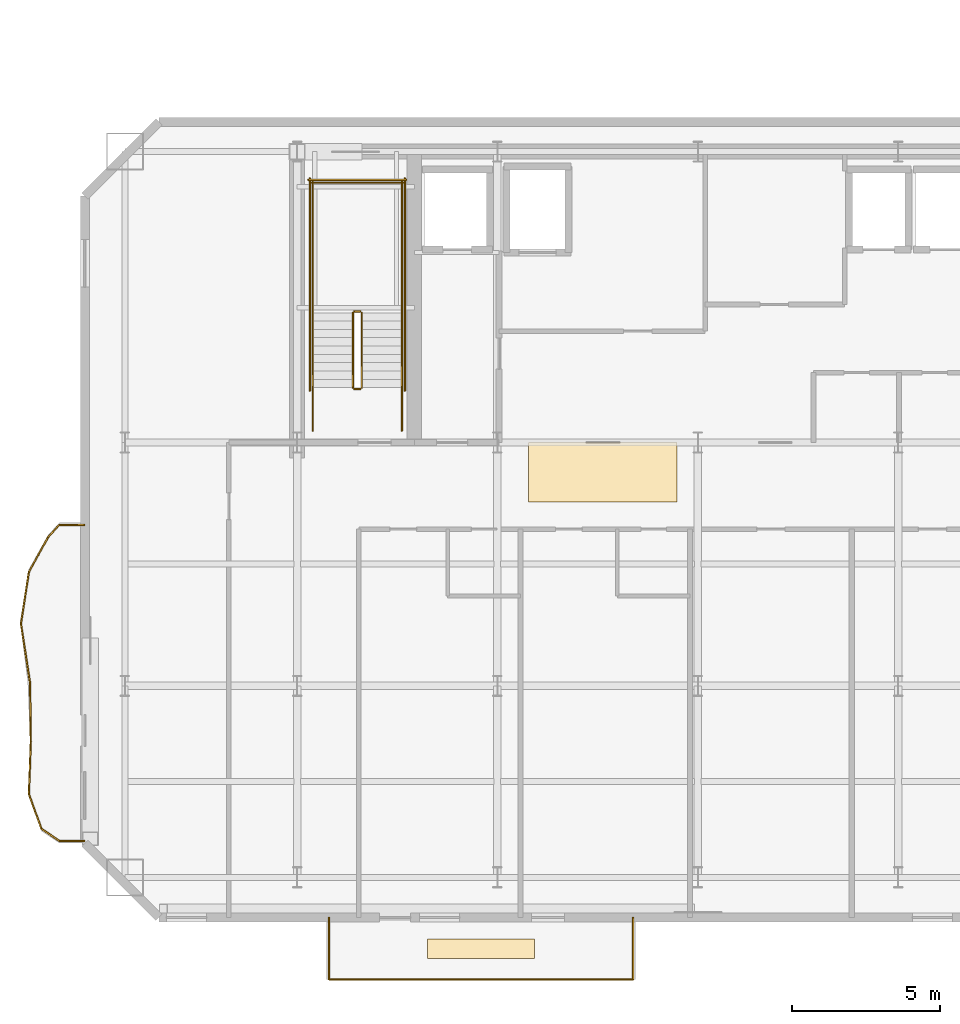
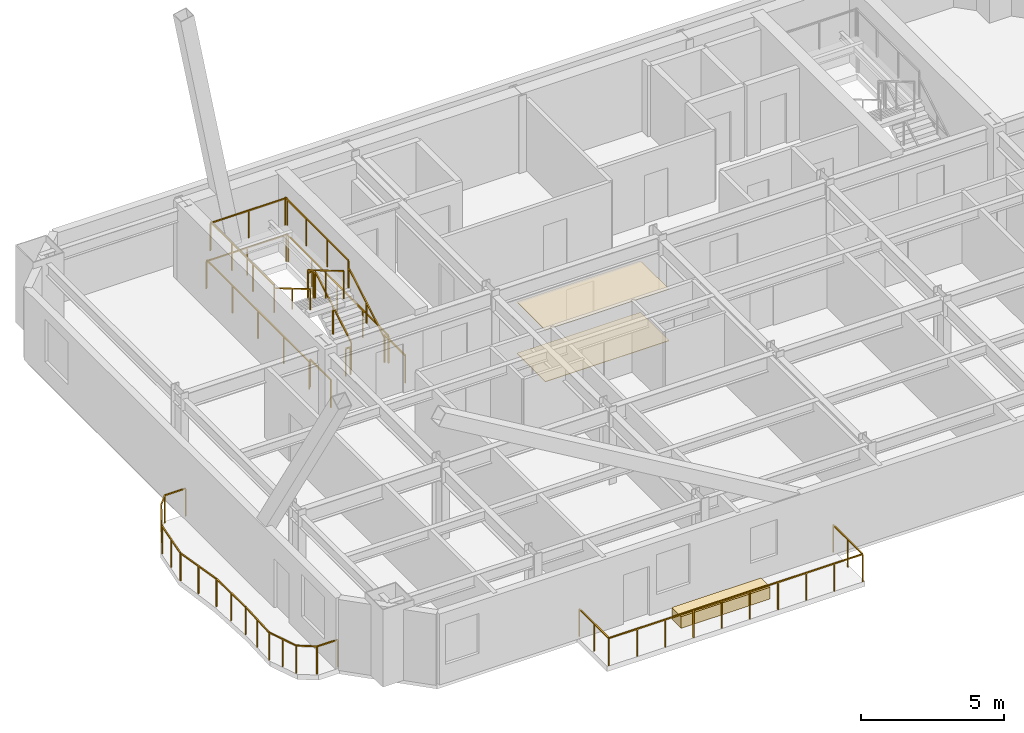
# One storey, part 10 of 13: 27 railings, 3 coverings.
"""IFC4 building model written with IfcOpenShell, lengths in metres."""

from ifc_helpers import new_model, si_unit, direction, frame, origin, origin_2d, place, context, subcontext, project, spatial, polyline, rectangle, outline, extrude, material, layer, layer_set, type_object, element, save


model = new_model("IFC4")

# Units and contexts
model_context = context("Model", 3, precision=1e-05, world=origin(), true_north=direction((0.0, 1.0)))
body_context = subcontext(model_context, "Body", "Model", "MODEL_VIEW")
ifc_project = project(units=[si_unit("LENGTHUNIT", "METRE"), si_unit("AREAUNIT", "SQUARE_METRE"), si_unit("VOLUMEUNIT", "CUBIC_METRE"), si_unit("PLANEANGLEUNIT", "RADIAN"), si_unit("MASSUNIT", "GRAM", prefix="KILO")], contexts=[model_context])

# Site, building, storey
site_placement = place(None, origin())
site = spatial("IfcSite", under=ifc_project, at=site_placement, CompositionType="ELEMENT")
building_placement = place(site_placement, origin())
building = spatial("IfcBuilding", under=site, at=building_placement, Name="Haevon Station Towers", CompositionType="ELEMENT")
storey_placement = place(building_placement, frame((0.0, 0.0, 185.699951171875)))
storey = spatial("IfcBuildingStorey", under=building, at=storey_placement, Name="L51", CompositionType="ELEMENT", Elevation=185.699951171875)

# Coverings
ifc_material_1 = material(Name="Gypsum acoustic ceiling tile", Category="concrete")
ifc_layer_1 = layer(ifc_material_1, 0.014892578125)
ifc_layer_set_1 = layer_set([ifc_layer_1], Name="Gypsum acoustic ceiling tile")
covering_type_1 = type_object("IfcCoveringType", Name="COV-CEIL15", PredefinedType="CEILING", material=ifc_layer_set_1)
covering_1_placement = place(storey_placement, frame((0.0, 0.0, 2.199951171875)))
element("IfcCovering", 1, at=covering_1_placement, inside=storey, type_object=covering_type_1, Name="L51 Acoustic Corridor Ceiling", PredefinedType="CEILING", context=body_context, shape_type="SweptSolid", body=[
    extrude(outline(polyline([(31.800048828125, 36.199951171875), (36.800048828125, 36.199951171875), (36.800048828125, 38.199951171875), (31.800048828125, 38.199951171875), (31.800048828125, 36.199951171875)])), origin(), (0.0, 0.0, 1.0), 0.01513671875),
])
ifc_material_2 = material(Name="Granite stone paving", Category="masonry")
ifc_layer_2 = layer(ifc_material_2, 0.02001953125)
ifc_layer_set_2 = layer_set([ifc_layer_2], Name="Granite stone paving")
covering_type_2 = type_object("IfcCoveringType", Name="COV-FLR20", PredefinedType="FLOORING", material=ifc_layer_set_2)
covering_2_placement = place(storey_placement, origin())
element("IfcCovering", 2, at=covering_2_placement, inside=storey, type_object=covering_type_2, Name="L51 Corridor Stone Flooring", PredefinedType="FLOORING", context=body_context, shape_type="SweptSolid", body=[
    extrude(outline(polyline([(31.800048828125, 36.199951171875), (36.800048828125, 36.199951171875), (36.800048828125, 38.199951171875), (31.800048828125, 38.199951171875), (31.800048828125, 36.199951171875)])), origin(), (0.0, 0.0, 1.0), 0.02001953125),
])

# Railings
ifc_material_3 = material(Name="Steel S355", Category="steel")
railing_type_1 = type_object("IfcRailingType", Name="GRD-EXT1200", PredefinedType="GUARDRAIL", material=ifc_material_3)
railing_1_placement = place(storey_placement, frame((16.826416015625, 35.422119140625, 0.0)))
element("IfcRailing", 3, at=railing_1_placement, inside=storey, type_object=railing_type_1, Name="L51 Perimeter Guardrail 1", PredefinedType="GUARDRAIL", context=body_context, shape_type="SweptSolid", body=[
    extrude(rectangle(XDim=0.048095703125, YDim=0.048095703125, at=origin_2d()), frame((0.0, 0.0, 1.17578125), z_axis=(-0.999997283225, -0.002330995998, 0.0), x_axis=(0.002330995998, -0.999997283225, 0.0)), (0.0, 0.0, 1.0), 0.837890625),
    extrude(rectangle(XDim=0.0419921875, YDim=0.0419921875, at=origin_2d()), origin(), (0.0, 0.0, 1.0), 1.15185546875),
    extrude(rectangle(XDim=0.0419921875, YDim=0.0419921875, at=origin_2d()), frame((-0.837890625, -0.001953125, 0.0)), (0.0, 0.0, 1.0), 1.15185546875),
])
railing_2_placement = place(storey_placement, frame((15.988525390625, 35.420166015625, 0.0)))
element("IfcRailing", 4, at=railing_2_placement, inside=storey, type_object=railing_type_1, Name="L51 Perimeter Guardrail 2", PredefinedType="GUARDRAIL", context=body_context, shape_type="SweptSolid", body=[
    extrude(rectangle(XDim=0.048095703125, YDim=0.048095703125, at=origin_2d()), frame((0.0, 0.0, 1.17578125), z_axis=(-0.676041595973, -0.736863461242, 0.0), x_axis=(0.736863461242, -0.676041595973, 0.0)), (0.0, 0.0, 1.0), 0.557861328125),
    extrude(rectangle(XDim=0.0419921875, YDim=0.0419921875, at=origin_2d()), origin(), (0.0, 0.0, 1.0), 1.15185546875),
    extrude(rectangle(XDim=0.0419921875, YDim=0.0419921875, at=origin_2d()), frame((-0.377197265625, -0.4111328125, 0.0)), (0.0, 0.0, 1.0), 1.15185546875),
])
railing_3_placement = place(storey_placement, frame((15.611328125, 35.009033203125, 0.0)))
element("IfcRailing", 5, at=railing_3_placement, inside=storey, type_object=railing_type_1, Name="L51 Perimeter Guardrail 3", PredefinedType="GUARDRAIL", context=body_context, shape_type="SweptSolid", body=[
    extrude(rectangle(XDim=0.048095703125, YDim=0.048095703125, at=origin_2d()), frame((0.0, 0.0, 1.17578125), z_axis=(-0.483454046519, -0.875369741826, 0.0), x_axis=(0.875369741826, -0.483454046519, 0.0)), (0.0, 0.0, 1.0), 1.336181640625),
    extrude(rectangle(XDim=0.0419921875, YDim=0.0419921875, at=origin_2d()), origin(), (0.0, 0.0, 1.0), 1.15185546875),
    extrude(rectangle(XDim=0.0419921875, YDim=0.0419921875, at=origin_2d()), frame((-0.322998046875, -0.5849609375, 0.0)), (0.0, 0.0, 1.0), 1.15185546875),
    extrude(rectangle(XDim=0.0419921875, YDim=0.0419921875, at=origin_2d()), frame((-0.64599609375, -1.169677734375, 0.0)), (0.0, 0.0, 1.0), 1.15185546875),
])
railing_4_placement = place(storey_placement, frame((14.96533203125, 33.83935546875, 0.0)))
element("IfcRailing", 6, at=railing_4_placement, inside=storey, type_object=railing_type_1, Name="L51 Perimeter Guardrail 4", PredefinedType="GUARDRAIL", context=body_context, shape_type="SweptSolid", body=[
    extrude(rectangle(XDim=0.048095703125, YDim=0.048095703125, at=origin_2d()), frame((0.0, 0.0, 1.17578125), z_axis=(-0.151319853564, -0.988484851638, 0.0), x_axis=(0.988484851638, -0.151319853564, 0.0)), (0.0, 0.0, 1.0), 1.7666015625),
    extrude(rectangle(XDim=0.0419921875, YDim=0.0419921875, at=origin_2d()), origin(), (0.0, 0.0, 1.0), 1.15185546875),
    extrude(rectangle(XDim=0.0419921875, YDim=0.0419921875, at=origin_2d()), frame((-0.1337890625, -0.873046875, 0.0)), (0.0, 0.0, 1.0), 1.15185546875),
    extrude(rectangle(XDim=0.0419921875, YDim=0.0419921875, at=origin_2d()), frame((-0.267333984375, -1.746337890625, 0.0)), (0.0, 0.0, 1.0), 1.15185546875),
])
railing_5_placement = place(storey_placement, frame((14.697998046875, 32.093017578125, 0.0)))
element("IfcRailing", 7, at=railing_5_placement, inside=storey, type_object=railing_type_1, Name="L51 Perimeter Guardrail 5", PredefinedType="GUARDRAIL", context=body_context, shape_type="SweptSolid", body=[
    extrude(rectangle(XDim=0.048095703125, YDim=0.048095703125, at=origin_2d()), frame((0.0, 0.0, 1.17578125), z_axis=(0.151957098887, -0.988387090212, 0.0), x_axis=(0.988387090212, 0.151957098887, 0.0)), (0.0, 0.0, 1.0), 2.016357421875),
    extrude(rectangle(XDim=0.0419921875, YDim=0.0419921875, at=origin_2d()), origin(), (0.0, 0.0, 1.0), 1.15185546875),
    extrude(rectangle(XDim=0.0419921875, YDim=0.0419921875, at=origin_2d()), frame((0.1533203125, -0.99658203125, 0.0)), (0.0, 0.0, 1.0), 1.15185546875),
    extrude(rectangle(XDim=0.0419921875, YDim=0.0419921875, at=origin_2d()), frame((0.306396484375, -1.992919921875, 0.0)), (0.0, 0.0, 1.0), 1.15185546875),
])
railing_6_placement = place(storey_placement, frame((15.00439453125, 30.10009765625, 0.0)))
element("IfcRailing", 8, at=railing_6_placement, inside=storey, type_object=railing_type_1, Name="L51 Perimeter Guardrail 6", PredefinedType="GUARDRAIL", context=body_context, shape_type="SweptSolid", body=[
    extrude(rectangle(XDim=0.048095703125, YDim=0.048095703125, at=origin_2d()), frame((0.0, 0.0, 1.17578125), z_axis=(0.01276282884, -0.999918551783, 0.0), x_axis=(0.999918551783, 0.01276282884, 0.0)), (0.0, 0.0, 1.0), 1.989501953125),
    extrude(rectangle(XDim=0.0419921875, YDim=0.0419921875, at=origin_2d()), origin(), (0.0, 0.0, 1.0), 1.15185546875),
    extrude(rectangle(XDim=0.0419921875, YDim=0.0419921875, at=origin_2d()), frame((0.0126953125, -0.99462890625, 0.0)), (0.0, 0.0, 1.0), 1.15185546875),
    extrude(rectangle(XDim=0.0419921875, YDim=0.0419921875, at=origin_2d()), frame((0.025390625, -1.9892578125, 0.0)), (0.0, 0.0, 1.0), 1.15185546875),
])
railing_7_placement = place(storey_placement, frame((15.02978515625, 28.11083984375, 0.0)))
element("IfcRailing", 9, at=railing_7_placement, inside=storey, type_object=railing_type_1, Name="L51 Perimeter Guardrail 7", PredefinedType="GUARDRAIL", context=body_context, shape_type="SweptSolid", body=[
    extrude(rectangle(XDim=0.048095703125, YDim=0.048095703125, at=origin_2d()), frame((0.0, 0.0, 1.17578125), z_axis=(-0.036800275781, -0.999322640443, 0.0), x_axis=(0.999322640443, -0.036800275781, 0.0)), (0.0, 0.0, 1.0), 1.75146484375),
    extrude(rectangle(XDim=0.0419921875, YDim=0.0419921875, at=origin_2d()), origin(), (0.0, 0.0, 1.0), 1.15185546875),
    extrude(rectangle(XDim=0.0419921875, YDim=0.0419921875, at=origin_2d()), frame((-0.0322265625, -0.875, 0.0)), (0.0, 0.0, 1.0), 1.15185546875),
    extrude(rectangle(XDim=0.0419921875, YDim=0.0419921875, at=origin_2d()), frame((-0.064453125, -1.750244140625, 0.0)), (0.0, 0.0, 1.0), 1.15185546875),
])
railing_8_placement = place(storey_placement, frame((14.96533203125, 26.360595703125, 0.0)))
element("IfcRailing", 10, at=railing_8_placement, inside=storey, type_object=railing_type_1, Name="L51 Perimeter Guardrail 8", PredefinedType="GUARDRAIL", context=body_context, shape_type="SweptSolid", body=[
    extrude(rectangle(XDim=0.048095703125, YDim=0.048095703125, at=origin_2d()), frame((0.0, 0.0, 1.17578125), z_axis=(0.337369310721, -0.941372374878, 0.0), x_axis=(0.941372374878, 0.337369310721, 0.0)), (0.0, 0.0, 1.0), 1.242431640625),
    extrude(rectangle(XDim=0.0419921875, YDim=0.0419921875, at=origin_2d()), origin(), (0.0, 0.0, 1.0), 1.15185546875),
    extrude(rectangle(XDim=0.0419921875, YDim=0.0419921875, at=origin_2d()), frame((0.20947265625, -0.5849609375, 0.0)), (0.0, 0.0, 1.0), 1.15185546875),
    extrude(rectangle(XDim=0.0419921875, YDim=0.0419921875, at=origin_2d()), frame((0.419189453125, -1.169677734375, 0.0)), (0.0, 0.0, 1.0), 1.15185546875),
])
railing_9_placement = place(storey_placement, frame((15.384521484375, 25.19091796875, 0.0)))
element("IfcRailing", 11, at=railing_9_placement, inside=storey, type_object=railing_type_1, Name="L51 Perimeter Guardrail 9", PredefinedType="GUARDRAIL", context=body_context, shape_type="SweptSolid", body=[
    extrude(rectangle(XDim=0.048095703125, YDim=0.048095703125, at=origin_2d()), frame((0.0, 0.0, 1.17578125), z_axis=(0.826665387993, -0.562693821091, 0.0), x_axis=(0.562693821091, 0.826665387993, 0.0)), (0.0, 0.0, 1.0), 0.730712890625),
    extrude(rectangle(XDim=0.0419921875, YDim=0.0419921875, at=origin_2d()), origin(), (0.0, 0.0, 1.0), 1.15185546875),
    extrude(rectangle(XDim=0.0419921875, YDim=0.0419921875, at=origin_2d()), frame((0.60400390625, -0.4111328125, 0.0)), (0.0, 0.0, 1.0), 1.15185546875),
])
railing_10_placement = place(storey_placement, frame((15.988525390625, 24.77978515625, 0.0)))
element("IfcRailing", 12, at=railing_10_placement, inside=storey, type_object=railing_type_1, Name="L51 Perimeter Guardrail 10", PredefinedType="GUARDRAIL", context=body_context, shape_type="SweptSolid", body=[
    extrude(rectangle(XDim=0.048095703125, YDim=0.048095703125, at=origin_2d()), frame((0.0, 0.0, 1.17578125), z_axis=(0.999997283225, -0.002330995998, 0.0), x_axis=(0.002330995998, 0.999997283225, 0.0)), (0.0, 0.0, 1.0), 0.837890625),
    extrude(rectangle(XDim=0.0419921875, YDim=0.0419921875, at=origin_2d()), origin(), (0.0, 0.0, 1.0), 1.15185546875),
    extrude(rectangle(XDim=0.0419921875, YDim=0.0419921875, at=origin_2d()), frame((0.837890625, -0.001953125, 0.0)), (0.0, 0.0, 1.0), 1.15185546875),
])
railing_11_placement = place(storey_placement, frame((25.078369140625, 20.11572265625, 0.0)))
element("IfcRailing", 13, at=railing_11_placement, inside=storey, type_object=railing_type_1, Name="L51 Perimeter Guardrail 1", PredefinedType="GUARDRAIL", context=body_context, shape_type="SweptSolid", body=[
    extrude(rectangle(XDim=0.048095703125, YDim=0.048095703125, at=origin_2d()), frame((0.0, 0.0, 1.17578125), z_axis=(1.0, 0.0, 0.0), x_axis=(0.0, 1.0, 0.0)), (0.0, 0.0, 1.0), 10.2431640625),
    extrude(rectangle(XDim=0.0419921875, YDim=0.0419921875, at=origin_2d()), origin(), (0.0, 0.0, 1.0), 1.15185546875),
    extrude(rectangle(XDim=0.0419921875, YDim=0.0419921875, at=origin_2d()), frame((1.13818359375, 0.0, 0.0)), (0.0, 0.0, 1.0), 1.15185546875),
    extrude(rectangle(XDim=0.0419921875, YDim=0.0419921875, at=origin_2d()), frame((2.2763671875, 0.0, 0.0)), (0.0, 0.0, 1.0), 1.15185546875),
    extrude(rectangle(XDim=0.0419921875, YDim=0.0419921875, at=origin_2d()), frame((3.414306640625, 0.0, 0.0)), (0.0, 0.0, 1.0), 1.15185546875),
    extrude(rectangle(XDim=0.0419921875, YDim=0.0419921875, at=origin_2d()), frame((4.552490234375, 0.0, 0.0)), (0.0, 0.0, 1.0), 1.15185546875),
    extrude(rectangle(XDim=0.0419921875, YDim=0.0419921875, at=origin_2d()), frame((5.690673828125, 0.0, 0.0)), (0.0, 0.0, 1.0), 1.15185546875),
    extrude(rectangle(XDim=0.0419921875, YDim=0.0419921875, at=origin_2d()), frame((6.828857421875, 0.0, 0.0)), (0.0, 0.0, 1.0), 1.15185546875),
    extrude(rectangle(XDim=0.0419921875, YDim=0.0419921875, at=origin_2d()), frame((7.966796875, 0.0, 0.0)), (0.0, 0.0, 1.0), 1.15185546875),
    extrude(rectangle(XDim=0.0419921875, YDim=0.0419921875, at=origin_2d()), frame((9.10498046875, 0.0, 0.0)), (0.0, 0.0, 1.0), 1.15185546875),
    extrude(rectangle(XDim=0.0419921875, YDim=0.0419921875, at=origin_2d()), frame((10.2431640625, 0.0, 0.0)), (0.0, 0.0, 1.0), 1.15185546875),
])
railing_12_placement = place(storey_placement, frame((35.321533203125, 20.11572265625, 0.0)))
element("IfcRailing", 14, at=railing_12_placement, inside=storey, type_object=railing_type_1, Name="L51 Perimeter Guardrail 2", PredefinedType="GUARDRAIL", context=body_context, shape_type="SweptSolid", body=[
    extrude(rectangle(XDim=0.048095703125, YDim=0.048095703125, at=origin_2d()), frame((0.0, 0.0, 1.17578125), z_axis=(0.0, 1.0, 0.0), x_axis=(-1.0, 0.0, 0.0)), (0.0, 0.0, 1.0), 2.0634765625),
    extrude(rectangle(XDim=0.0419921875, YDim=0.0419921875, at=origin_2d()), origin(), (0.0, 0.0, 1.0), 1.15185546875),
    extrude(rectangle(XDim=0.0419921875, YDim=0.0419921875, at=origin_2d()), frame((0.0, 1.03173828125, 0.0)), (0.0, 0.0, 1.0), 1.15185546875),
    extrude(rectangle(XDim=0.0419921875, YDim=0.0419921875, at=origin_2d()), frame((0.0, 2.0634765625, 0.0)), (0.0, 0.0, 1.0), 1.15185546875),
])
railing_13_placement = place(storey_placement, frame((25.078369140625, 22.17919921875, 0.0)))
element("IfcRailing", 15, at=railing_13_placement, inside=storey, type_object=railing_type_1, Name="L51 Perimeter Guardrail 3", PredefinedType="GUARDRAIL", context=body_context, shape_type="SweptSolid", body=[
    extrude(rectangle(XDim=0.048095703125, YDim=0.048095703125, at=origin_2d()), frame((0.0, 0.0, 1.17578125), z_axis=(0.0, -1.0, 0.0), x_axis=(1.0, 0.0, 0.0)), (0.0, 0.0, 1.0), 2.0634765625),
    extrude(rectangle(XDim=0.0419921875, YDim=0.0419921875, at=origin_2d()), origin(), (0.0, 0.0, 1.0), 1.15185546875),
    extrude(rectangle(XDim=0.0419921875, YDim=0.0419921875, at=origin_2d()), frame((0.0, -1.03173828125, 0.0)), (0.0, 0.0, 1.0), 1.15185546875),
    extrude(rectangle(XDim=0.0419921875, YDim=0.0419921875, at=origin_2d()), frame((0.0, -2.0634765625, 0.0)), (0.0, 0.0, 1.0), 1.15185546875),
])
railing_type_2 = type_object("IfcRailingType", Name="GRD-STR1200", PredefinedType="GUARDRAIL", material=ifc_material_3)
railing_14_placement = place(storey_placement, frame((26.179931640625, 40.050048828125, 0.1650390625)))
element("IfcRailing", 16, at=railing_14_placement, inside=storey, type_object=railing_type_2, Name="L51 ST1 Stair Guard 1", PredefinedType="GUARDRAIL", context=body_context, shape_type="SweptSolid", body=[
    extrude(rectangle(XDim=0.048095703125, YDim=0.048095703125, at=origin_2d()), frame((0.0, 0.0, 1.17578125), z_axis=(0.0, 0.86152411907, 0.507716645641), x_axis=(-1.0, 0.0, 0.0)), (0.0, 0.0, 1.0), 2.925048828125),
    extrude(rectangle(XDim=0.0419921875, YDim=0.0419921875, at=origin_2d()), origin(), (0.0, 0.0, 1.0), 1.15185546875),
    extrude(rectangle(XDim=0.0419921875, YDim=0.0419921875, at=origin_2d()), frame((0.0, 1.260009765625, 0.74267578125)), (0.0, 0.0, 1.0), 1.15185546875),
    extrude(rectangle(XDim=0.0419921875, YDim=0.0419921875, at=origin_2d()), frame((0.0, 2.52001953125, 1.485107421875)), (0.0, 0.0, 1.0), 1.15185546875),
])
railing_15_placement = place(storey_placement, frame((26.1298828125, 42.6201171875, 1.650146484375)))
element("IfcRailing", 17, at=railing_15_placement, inside=storey, type_object=railing_type_2, Name="L51 ST1 Stair Guard 2", PredefinedType="GUARDRAIL", context=body_context, shape_type="SweptSolid", body=[
    extrude(rectangle(XDim=0.048095703125, YDim=0.048095703125, at=origin_2d()), frame((0.0, 0.0, 1.17578125), z_axis=(-1.0, 0.0, 0.0), x_axis=(0.0, -1.0, 0.0)), (0.0, 0.0, 1.0), 0.199951171875),
    extrude(rectangle(XDim=0.0419921875, YDim=0.0419921875, at=origin_2d()), origin(), (0.0, 0.0, 1.0), 1.15185546875),
    extrude(rectangle(XDim=0.0419921875, YDim=0.0419921875, at=origin_2d()), frame((-0.199951171875, 0.0, 0.0)), (0.0, 0.0, 1.0), 1.15185546875),
])
for number, where, name in (
    (18, (27.530029296875, 42.570068359375, 1.650146484375), "L51 ST1 Stair Guard 3"),
    (19, (24.530029296875, 42.570068359375, 1.650146484375), "L51 ST1 Stair Guard 4"),
):
    element("IfcRailing", number, at=place(storey_placement, frame(where)), inside=storey, type_object=railing_type_2, Name=name, PredefinedType="GUARDRAIL", context=body_context, shape_type="SweptSolid", body=[
        extrude(rectangle(XDim=0.048095703125, YDim=0.048095703125, at=origin_2d()), frame((0.0, 0.0, 1.17578125), z_axis=(0.0, 1.0, 0.0), x_axis=(-1.0, 0.0, 0.0)), (0.0, 0.0, 1.0), 4.429931640625),
        extrude(rectangle(XDim=0.0419921875, YDim=0.0419921875, at=origin_2d()), origin(), (0.0, 0.0, 1.0), 1.15185546875),
        extrude(rectangle(XDim=0.0419921875, YDim=0.0419921875, at=origin_2d()), frame((0.0, 1.4765625, 0.0)), (0.0, 0.0, 1.0), 1.15185546875),
        extrude(rectangle(XDim=0.0419921875, YDim=0.0419921875, at=origin_2d()), frame((0.0, 2.953369140625, 0.0)), (0.0, 0.0, 1.0), 1.15185546875),
        extrude(rectangle(XDim=0.0419921875, YDim=0.0419921875, at=origin_2d()), frame((0.0, 4.429931640625, 0.0)), (0.0, 0.0, 1.0), 1.15185546875),
    ])
railing_16_placement = place(storey_placement, frame((27.580078125, 46.949951171875, 1.650146484375)))
element("IfcRailing", 20, at=railing_16_placement, inside=storey, type_object=railing_type_2, Name="L51 ST1 Stair Guard 5", PredefinedType="GUARDRAIL", context=body_context, shape_type="SweptSolid", body=[
    extrude(rectangle(XDim=0.048095703125, YDim=0.048095703125, at=origin_2d()), frame((0.0, 0.0, 1.17578125), z_axis=(-1.0, 0.0, 0.0), x_axis=(0.0, -1.0, 0.0)), (0.0, 0.0, 1.0), 3.10009765625),
    extrude(rectangle(XDim=0.0419921875, YDim=0.0419921875, at=origin_2d()), origin(), (0.0, 0.0, 1.0), 1.15185546875),
    extrude(rectangle(XDim=0.0419921875, YDim=0.0419921875, at=origin_2d()), frame((-1.550048828125, 0.0, 0.0)), (0.0, 0.0, 1.0), 1.15185546875),
    extrude(rectangle(XDim=0.0419921875, YDim=0.0419921875, at=origin_2d()), frame((-3.10009765625, 0.0, 0.0)), (0.0, 0.0, 1.0), 1.15185546875),
])
railing_17_placement = place(storey_placement, frame((25.8798828125, 42.570068359375, 1.81494140625)))
element("IfcRailing", 21, at=railing_17_placement, inside=storey, type_object=railing_type_2, Name="L51 ST1 Stair Guard 6", PredefinedType="GUARDRAIL", context=body_context, shape_type="SweptSolid", body=[
    extrude(rectangle(XDim=0.048095703125, YDim=0.048095703125, at=origin_2d()), frame((0.0, 0.0, 1.17578125), z_axis=(0.0, -0.86152411907, 0.507716645641), x_axis=(1.0, 0.0, 0.0)), (0.0, 0.0, 1.0), 2.925048828125),
    extrude(rectangle(XDim=0.0419921875, YDim=0.0419921875, at=origin_2d()), origin(), (0.0, 0.0, 1.0), 1.15185546875),
    extrude(rectangle(XDim=0.0419921875, YDim=0.0419921875, at=origin_2d()), frame((0.0, -1.260009765625, 0.74267578125)), (0.0, 0.0, 1.0), 1.15185546875),
    extrude(rectangle(XDim=0.0419921875, YDim=0.0419921875, at=origin_2d()), frame((0.0, -2.52001953125, 1.485107421875)), (0.0, 0.0, 1.0), 1.15185546875),
])
railing_18_placement = place(storey_placement, frame((26.1298828125, 40.0, 0.0)))
element("IfcRailing", 22, at=railing_18_placement, inside=storey, type_object=railing_type_2, Name="L51 ST1 Stair Guard 7", PredefinedType="GUARDRAIL", context=body_context, shape_type="SweptSolid", body=[
    extrude(rectangle(XDim=0.048095703125, YDim=0.048095703125, at=origin_2d()), frame((0.0, 0.0, 1.17578125), z_axis=(-1.0, 0.0, 0.0), x_axis=(0.0, -1.0, 0.0)), (0.0, 0.0, 1.0), 0.199951171875),
    extrude(rectangle(XDim=0.0419921875, YDim=0.0419921875, at=origin_2d()), origin(), (0.0, 0.0, 1.0), 1.15185546875),
    extrude(rectangle(XDim=0.0419921875, YDim=0.0419921875, at=origin_2d()), frame((-0.199951171875, 0.0, 0.0)), (0.0, 0.0, 1.0), 1.15185546875),
])
for number, where, name in (
    (23, (27.530029296875, 38.60009765625, 0.0), "L51 ST1 Stair Guard 8"),
    (24, (24.530029296875, 38.60009765625, 0.0), "L51 ST1 Stair Guard 9"),
):
    element("IfcRailing", number, at=place(storey_placement, frame(where)), inside=storey, type_object=railing_type_2, Name=name, PredefinedType="GUARDRAIL", context=body_context, shape_type="SweptSolid", body=[
        extrude(rectangle(XDim=0.048095703125, YDim=0.048095703125, at=origin_2d()), frame((0.0, 0.0, 1.17578125), z_axis=(0.0, 1.0, 0.0), x_axis=(-1.0, 0.0, 0.0)), (0.0, 0.0, 1.0), 1.449951171875),
        extrude(rectangle(XDim=0.0419921875, YDim=0.0419921875, at=origin_2d()), origin(), (0.0, 0.0, 1.0), 1.15185546875),
        extrude(rectangle(XDim=0.0419921875, YDim=0.0419921875, at=origin_2d()), frame((0.0, 1.449951171875, 0.0)), (0.0, 0.0, 1.0), 1.15185546875),
    ])
for number, where, name in (
    (25, (27.6298828125, 39.949951171875, 0.0), "L51 ST1 Stair Guard 10"),
    (26, (24.429931640625, 39.949951171875, 0.0), "L51 ST1 Stair Guard 11"),
):
    element("IfcRailing", number, at=place(storey_placement, frame(where)), inside=storey, type_object=railing_type_2, Name=name, PredefinedType="GUARDRAIL", context=body_context, shape_type="SweptSolid", body=[
        extrude(rectangle(XDim=0.048095703125, YDim=0.048095703125, at=origin_2d()), frame((0.0, 0.0, 1.17578125), z_axis=(0.0, 1.0, 0.0), x_axis=(-1.0, 0.0, 0.0)), (0.0, 0.0, 1.0), 7.150146484375),
        extrude(rectangle(XDim=0.0419921875, YDim=0.0419921875, at=origin_2d()), origin(), (0.0, 0.0, 1.0), 1.15185546875),
        extrude(rectangle(XDim=0.0419921875, YDim=0.0419921875, at=origin_2d()), frame((0.0, 1.78759765625, 0.0)), (0.0, 0.0, 1.0), 1.15185546875),
        extrude(rectangle(XDim=0.0419921875, YDim=0.0419921875, at=origin_2d()), frame((0.0, 3.5751953125, 0.0)), (0.0, 0.0, 1.0), 1.15185546875),
        extrude(rectangle(XDim=0.0419921875, YDim=0.0419921875, at=origin_2d()), frame((0.0, 5.362548828125, 0.0)), (0.0, 0.0, 1.0), 1.15185546875),
        extrude(rectangle(XDim=0.0419921875, YDim=0.0419921875, at=origin_2d()), frame((0.0, 7.150146484375, 0.0)), (0.0, 0.0, 1.0), 1.15185546875),
    ])
railing_19_placement = place(storey_placement, frame((27.679931640625, 47.050048828125, 0.0)))
element("IfcRailing", 27, at=railing_19_placement, inside=storey, type_object=railing_type_2, Name="L51 ST1 Stair Guard 12", PredefinedType="GUARDRAIL", context=body_context, shape_type="SweptSolid", body=[
    extrude(rectangle(XDim=0.048095703125, YDim=0.048095703125, at=origin_2d()), frame((0.0, 0.0, 1.17578125), z_axis=(-1.0, 0.0, 0.0), x_axis=(0.0, -1.0, 0.0)), (0.0, 0.0, 1.0), 3.300048828125),
    extrude(rectangle(XDim=0.0419921875, YDim=0.0419921875, at=origin_2d()), origin(), (0.0, 0.0, 1.0), 1.15185546875),
    extrude(rectangle(XDim=0.0419921875, YDim=0.0419921875, at=origin_2d()), frame((-1.64990234375, 0.0, 0.0)), (0.0, 0.0, 1.0), 1.15185546875),
    extrude(rectangle(XDim=0.0419921875, YDim=0.0419921875, at=origin_2d()), frame((-3.300048828125, 0.0, 0.0)), (0.0, 0.0, 1.0), 1.15185546875),
])
railing_type_3 = type_object("IfcRailingType", Name="HND-STR900", PredefinedType="HANDRAIL", material=ifc_material_3)
railing_20_placement = place(storey_placement, frame((27.530029296875, 40.050048828125, 0.1650390625)))
element("IfcRailing", 28, at=railing_20_placement, inside=storey, type_object=railing_type_3, Name="L51 ST1 Stair Handrail 1", PredefinedType="HANDRAIL", context=body_context, shape_type="SweptSolid", body=[
    extrude(rectangle(XDim=0.048095703125, YDim=0.048095703125, at=origin_2d()), frame((0.0, 0.0, 0.8759765625), z_axis=(0.0, 0.86152411907, 0.507716645641), x_axis=(-1.0, 0.0, 0.0)), (0.0, 0.0, 1.0), 2.925048828125),
    extrude(rectangle(XDim=0.0419921875, YDim=0.0419921875, at=origin_2d()), origin(), (0.0, 0.0, 1.0), 0.851806640625),
    extrude(rectangle(XDim=0.0419921875, YDim=0.0419921875, at=origin_2d()), frame((0.0, 1.260009765625, 0.74267578125)), (0.0, 0.0, 1.0), 0.851806640625),
    extrude(rectangle(XDim=0.0419921875, YDim=0.0419921875, at=origin_2d()), frame((0.0, 2.52001953125, 1.485107421875)), (0.0, 0.0, 1.0), 0.851806640625),
])
railing_21_placement = place(storey_placement, frame((24.530029296875, 42.570068359375, 1.81494140625)))
element("IfcRailing", 29, at=railing_21_placement, inside=storey, type_object=railing_type_3, Name="L51 ST1 Stair Handrail 2", PredefinedType="HANDRAIL", context=body_context, shape_type="SweptSolid", body=[
    extrude(rectangle(XDim=0.048095703125, YDim=0.048095703125, at=origin_2d()), frame((0.0, 0.0, 0.8759765625), z_axis=(0.0, -0.86152411907, 0.507716645641), x_axis=(1.0, 0.0, 0.0)), (0.0, 0.0, 1.0), 2.925048828125),
    extrude(rectangle(XDim=0.0419921875, YDim=0.0419921875, at=origin_2d()), origin(), (0.0, 0.0, 1.0), 0.851806640625),
    extrude(rectangle(XDim=0.0419921875, YDim=0.0419921875, at=origin_2d()), frame((0.0, -1.260009765625, 0.74267578125)), (0.0, 0.0, 1.0), 0.851806640625),
    extrude(rectangle(XDim=0.0419921875, YDim=0.0419921875, at=origin_2d()), frame((0.0, -2.52001953125, 1.485107421875)), (0.0, 0.0, 1.0), 0.851806640625),
])

# Covering
ifc_material_4 = material(Name="Architectural planter GRC", Category="concrete")
ifc_layer_3 = layer(ifc_material_4, 0.550048828125)
ifc_layer_set_3 = layer_set([ifc_layer_3], Name="Architectural planter GRC")
covering_type_3 = type_object("IfcCoveringType", Name="PLN-GRC550", PredefinedType="MOLDING", material=ifc_layer_set_3)
covering_3_placement = place(storey_placement, frame((30.199951171875, 21.1474609375, 0.0), z_axis=(0.0, 0.0, 1.0), x_axis=(1.0, 0.0, 0.0)))
element("IfcCovering", 30, at=covering_3_placement, inside=storey, type_object=covering_type_3, Name="Tower 1 L51 Facade Trough PLANTER", PredefinedType="MOLDING", context=body_context, shape_type="SweptSolid", body=[
    extrude(rectangle(XDim=3.60009765625, YDim=0.64990234375, at=origin_2d()), origin(), (0.0, 0.0, 1.0), 0.5),
])

save(model, "model.ifc")
